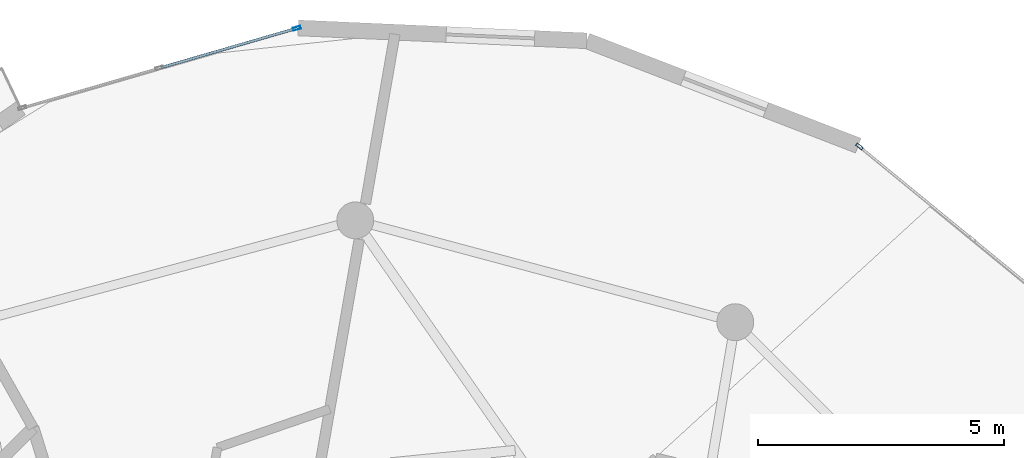
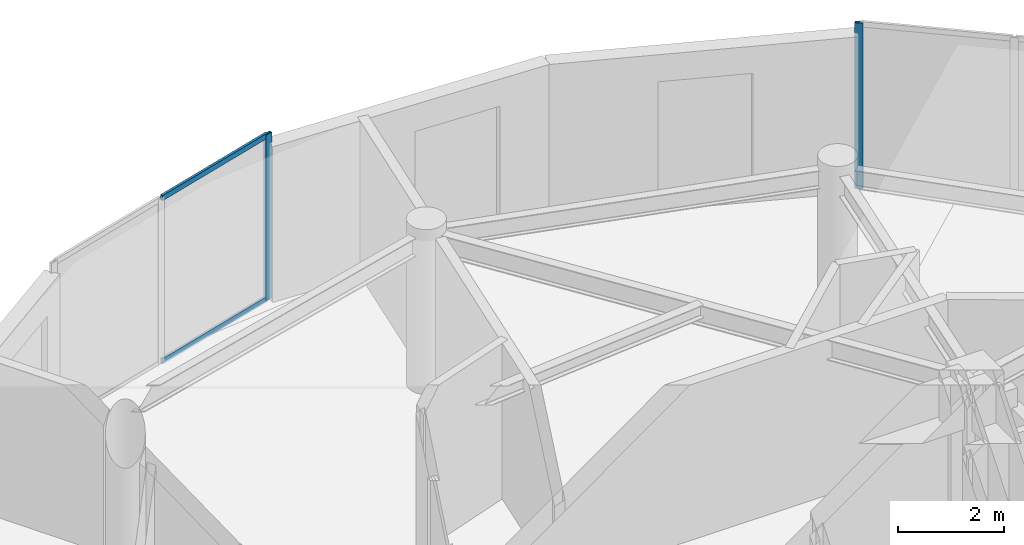
# One storey, part 8 of 16: 4 members, 2 elements without a shape of their own.
"""IFC4 building model written with IfcOpenShell, lengths in metres."""

from ifc_helpers import new_model, si_unit, direction, frame, origin, origin_2d, place, context, subcontext, project, spatial, hollow_rectangle, extrude, source, transform, mapped, material, layer, layer_set, material_profile, profile_set, type_object, element, aggregate, save


model = new_model("IFC4")

# Units and contexts
model_context = context("Model", 3, precision=1e-05, world=origin(), true_north=direction((0.0, 1.0)))
body_context = subcontext(model_context, "Body", "Model", "MODEL_VIEW")
ifc_project = project(units=[si_unit("LENGTHUNIT", "METRE"), si_unit("AREAUNIT", "SQUARE_METRE"), si_unit("VOLUMEUNIT", "CUBIC_METRE"), si_unit("PLANEANGLEUNIT", "RADIAN"), si_unit("MASSUNIT", "GRAM", prefix="KILO")], contexts=[model_context])

# Site, building, storey
site_placement = place(None, origin())
site = spatial("IfcSite", under=ifc_project, at=site_placement, CompositionType="ELEMENT")
building_placement = place(site_placement, origin())
building = spatial("IfcBuilding", under=site, at=building_placement, Name="Solvirekh Grand Hotel", CompositionType="ELEMENT")
storey_placement = place(building_placement, frame((0.0, 0.0, 258.199951171875)))
storey = spatial("IfcBuildingStorey", under=building, at=storey_placement, Name="L67", CompositionType="ELEMENT", Elevation=258.199951171875)

# Curtain wall, member
ifc_material = material(Name="Anodized Bronze Aluminium 6063-T6", Category="aluminium")
ifc_layer = layer(ifc_material, 0.159912109375)
ifc_layer_set = layer_set([ifc_layer], Name="Anodized Bronze Aluminium 6063-T6")
curtain_wall_type = type_object("IfcCurtainWallType", Name="CW_Sys4_HighZoneFlushBronzeCW", PredefinedType="NOTDEFINED", material=ifc_layer_set)
curtain_wall_1_placement = place(storey_placement, origin())
curtain_wall_1 = element("IfcCurtainWall", 1, at=curtain_wall_1_placement, inside=storey, type_object=curtain_wall_type, Name="L67 unitised bronze-glass curtain wall CW-L67-C08", PredefinedType="NOTDEFINED")
ifc_material_profile_1 = material_profile(ifc_material, hollow_rectangle(XDim=0.06005859375, YDim=0.159912109375, WallThickness=0.0048828125, at=origin_2d()), Name="ALU RHS 160X60X5")
ifc_profile_set_1 = profile_set([ifc_material_profile_1], Name="Anodized Bronze Aluminium 6063-T6")
member_type_1 = type_object("IfcMemberType", Name="CWMullion_Sys4", PredefinedType="MULLION", material=ifc_profile_set_1)
shared_shape_1 = source(origin(), body_context, "Body", "SweptSolid", [
    extrude(hollow_rectangle(XDim=0.06005859375, YDim=0.159912109375, WallThickness=0.0048828125, at=origin_2d()), origin(), (0.0, 0.0, 1.0), 3.800048828125),
])
member_1_placement = place(storey_placement, frame((10.249267578125, 16.950927734375, 0.0), z_axis=(0.0, 0.0, 1.0), x_axis=(-0.633801783749, -0.773495506721, 0.0)))
member_1 = element("IfcMember", 2, at=member_1_placement, type_object=member_type_1, Name="U04 mullion 3", PredefinedType="MULLION", context=body_context, shape_type="MappedRepresentation", body=[
    mapped(shared_shape_1, transform((0.0, 0.0, 0.0), x_axis=(1.0, 0.0, 0.0), y_axis=(0.0, 1.0, 0.0), z_axis=(0.0, 0.0, 1.0), scale=1.0)),
])
aggregate(curtain_wall_1, [member_1])

# Curtain wall, members
curtain_wall_2_placement = place(storey_placement, origin())
curtain_wall_2 = element("IfcCurtainWall", 3, at=curtain_wall_2_placement, inside=storey, type_object=curtain_wall_type, Name="L67 unitised bronze-glass curtain wall CW-L67-C11", PredefinedType="NOTDEFINED")
member_2_placement = place(storey_placement, frame((-1.187744140625, 19.354736328125, 0.0), z_axis=(0.0, 0.0, 1.0), x_axis=(0.278273095965, -0.960501995866, 0.0)))
member_2 = element("IfcMember", 4, at=member_2_placement, type_object=member_type_1, Name="U04 mullion 1", PredefinedType="MULLION", context=body_context, shape_type="MappedRepresentation", body=[
    mapped(shared_shape_1, transform((0.0, 0.0, 0.0), x_axis=(1.0, 0.0, 0.0), y_axis=(0.0, 1.0, 0.0), z_axis=(0.0, 0.0, 1.0), scale=1.0)),
])
ifc_material_profile_2 = material_profile(ifc_material, hollow_rectangle(XDim=0.054931640625, YDim=0.1201171875, WallThickness=0.00390625, at=origin_2d()), Name="ALU RHS 120X55X4")
ifc_profile_set_2 = profile_set([ifc_material_profile_2], Name="Anodized Bronze Aluminium 6063-T6")
member_type_2 = type_object("IfcMemberType", Name="CWTransom_Sys4", PredefinedType="USERDEFINED", material=ifc_profile_set_2)
shared_shape_2 = source(origin(), body_context, "Body", "SweptSolid", [
    extrude(hollow_rectangle(XDim=0.054931640625, YDim=0.1201171875, WallThickness=0.00390625, at=origin_2d()), origin(), (0.0, 0.0, 1.0), 2.845947265625),
])
member_3_placement = place(storey_placement, frame((-1.216552734375, 19.34619140625, 0.027587890625), z_axis=(-0.960523856299, -0.278197630256, 0.0), x_axis=(0.278197630256, -0.960523856299, 0.0)))
member_3 = element("IfcMember", 5, at=member_3_placement, type_object=member_type_2, Name="U04 transom 1.1", ObjectType="TRANSOM", PredefinedType="USERDEFINED", context=body_context, shape_type="MappedRepresentation", body=[
    mapped(shared_shape_2, transform((0.0, 0.0, 0.0), x_axis=(1.0, 0.0, 0.0), y_axis=(0.0, 1.0, 0.0), z_axis=(0.0, 0.0, 1.0), scale=1.0)),
])
member_4_placement = place(storey_placement, frame((-1.216552734375, 19.34619140625, 3.7724609375), z_axis=(-0.960523856299, -0.278197630256, 0.0), x_axis=(0.278197630256, -0.960523856299, 0.0)))
member_4 = element("IfcMember", 6, at=member_4_placement, type_object=member_type_2, Name="U04 transom 1.2", ObjectType="TRANSOM", PredefinedType="USERDEFINED", context=body_context, shape_type="MappedRepresentation", body=[
    mapped(shared_shape_2, transform((0.0, 0.0, 0.0), x_axis=(1.0, 0.0, 0.0), y_axis=(0.0, 1.0, 0.0), z_axis=(0.0, 0.0, 1.0), scale=1.0)),
])
aggregate(curtain_wall_2, [member_2, member_3, member_4])

save(model, "model.ifc")
